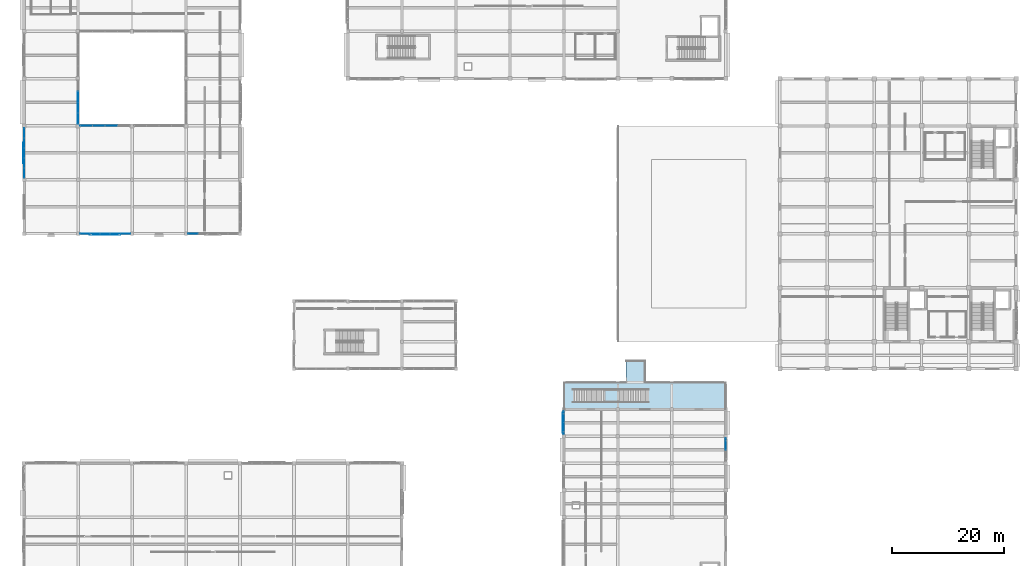
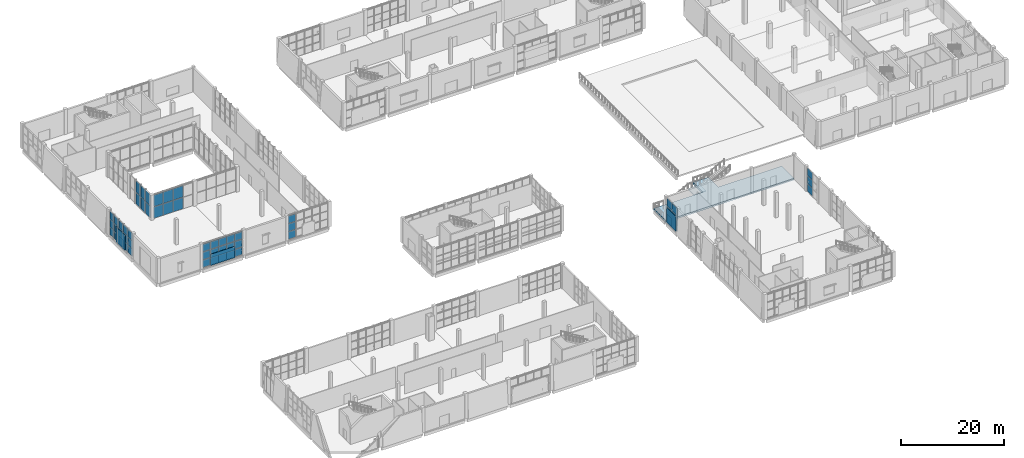
# One storey, part 45 of 84: 57 plates, 2 slabs, 8 elements without a shape of their own.
"""IFC4 building model written with IfcOpenShell, lengths in metres."""

import ifcopenshell
import ifcopenshell.guid

model = None  # the IFC model being written
_history = None  # IfcOwnerHistory: only IFC2X3 demands one
_inside = {}  # id of a spatial element -> (the spatial element, [elements in it])
_under = {}  # id of a project, library or spatial element -> (it, [spatial elements below it])
_declared = {}  # id of a project -> (the project, [libraries it declares])
_typed = {}  # id of a type object -> (the type object, [elements of that type])
_made_of = {}  # id of a material, layer set ... -> (it, [elements and type objects made of it])


def new_model(schema):
    """Start an empty IFC model of exactly this schema.

    Asked for "IFC4X3", IfcOpenShell would pick the latest addendum, in which some entities
    have other attributes; the version numbers below select the first issue.
    IFC2X3 requires an IfcOwnerHistory on every rooted entity: one is made here for all.
    """
    global model, _history
    if schema == "IFC4X3":
        model = ifcopenshell.file(schema_version=(4, 3, 0, 0))
    else:
        model = ifcopenshell.file(schema=schema)
    _inside.clear()
    _under.clear()
    _declared.clear()
    _typed.clear()
    _made_of.clear()
    _history = None
    if model.schema == "IFC2X3":
        org = make("IfcOrganization", Name="unknown")
        user = make(
            "IfcPersonAndOrganization",
            ThePerson=make("IfcPerson", FamilyName="unknown"),
            TheOrganization=org,
        )
        app = make(
            "IfcApplication",
            ApplicationDeveloper=org,
            Version="unknown",
            ApplicationFullName="unknown",
            ApplicationIdentifier="unknown",
        )
        _history = make(
            "IfcOwnerHistory",
            OwningUser=user,
            OwningApplication=app,
            ChangeAction="ADDED",
            CreationDate=0,
        )
    return model


def make(cls, **values):
    """One entity of the class cls with the attributes given. An attribute that is None is left unset."""
    return model.create_entity(
        cls, **{name: value for name, value in values.items() if value is not None}
    )


def rooted(cls, **values):
    """An entity with a GlobalId (a new one), such as an element, a storey or a relation."""
    return make(cls, GlobalId=ifcopenshell.guid.new(), OwnerHistory=_history, **values)


def si_unit(unit_type, name, prefix=None):
    """IfcSIUnit, for example si_unit("LENGTHUNIT", "METRE", prefix="MILLI")."""
    return make("IfcSIUnit", UnitType=unit_type, Prefix=prefix, Name=name)


def assignment(units):
    """IfcUnitAssignment: the units of a project."""
    return None if units is None else make("IfcUnitAssignment", Units=units)


def point(xyz):
    """IfcCartesianPoint."""
    return None if xyz is None else make("IfcCartesianPoint", Coordinates=xyz)


def direction(xyz):
    """IfcDirection."""
    return None if xyz is None else make("IfcDirection", DirectionRatios=xyz)


def frame(location, z_axis=None, x_axis=None):
    """IfcAxis2Placement3D, a coordinate frame: its origin and axes. An axis left out is left unset."""
    return make(
        "IfcAxis2Placement3D",
        Location=point(location),
        Axis=direction(z_axis),
        RefDirection=direction(x_axis),
    )


def frame_2d(location, x_axis=None):
    """IfcAxis2Placement2D, a coordinate frame in the plane: its origin and x axis."""
    return make(
        "IfcAxis2Placement2D", Location=point(location), RefDirection=direction(x_axis)
    )


def origin():
    """The frame at (0, 0, 0) with its axes left unset."""
    return frame((0.0, 0.0, 0.0))


def origin_2d():
    """The frame at (0, 0) in the plane with its x axis left unset."""
    return frame_2d((0.0, 0.0))


def place(relative_to, where):
    """IfcLocalPlacement: puts the frame where relative to a parent placement (None: the world)."""
    return make(
        "IfcLocalPlacement", PlacementRelTo=relative_to, RelativePlacement=where
    )


def context(
    kind, dimensions, precision=None, world=None, true_north=None, identifier=None
):
    """IfcGeometricRepresentationContext, for example the 3D "Model" context."""
    return make(
        "IfcGeometricRepresentationContext",
        ContextIdentifier=identifier,
        ContextType=kind,
        CoordinateSpaceDimension=dimensions,
        Precision=precision,
        WorldCoordinateSystem=world,
        TrueNorth=true_north,
    )


def subcontext(parent, identifier, kind, view, scale=None):
    """IfcGeometricRepresentationSubContext, for example "Body" below "Model"."""
    return make(
        "IfcGeometricRepresentationSubContext",
        ContextIdentifier=identifier,
        ContextType=kind,
        ParentContext=parent,
        TargetScale=scale,
        TargetView=view,
    )


def project(units=None, contexts=None):
    """IfcProject with its units and contexts."""
    return rooted(
        "IfcProject",
        Name="project",
        RepresentationContexts=contexts,
        UnitsInContext=assignment(units),
    )


def spatial(cls, under=None, at=None, **own):
    """A site, building, storey or space (cls), placed at a placement, below another one or the project."""
    s = rooted(cls, ObjectPlacement=at, **own)
    if under is not None:
        _under.setdefault(under.id(), (under, []))[1].append(s)
    return s


def polyline(points):
    """IfcPolyline through the points."""
    return make("IfcPolyline", Points=[point(p) for p in points])


def profile(cls, at=None, kind="AREA", **sizes):
    """A parametric profile (cls). Its sizes go by their IFC names, for example OverallWidth=200.0."""
    return make(cls, ProfileType=kind, Position=at, **sizes)


def rectangle(**sizes):
    """IfcRectangleProfileDef."""
    return profile("IfcRectangleProfileDef", **sizes)


def outline(outer, holes=None, kind="AREA"):
    """IfcArbitraryClosedProfileDef: a profile drawn as a closed curve; with holes, ...WithVoids."""
    if holes is None:
        return make("IfcArbitraryClosedProfileDef", ProfileType=kind, OuterCurve=outer)
    return make(
        "IfcArbitraryProfileDefWithVoids",
        ProfileType=kind,
        OuterCurve=outer,
        InnerCurves=holes,
    )


def extrude(swept, where, along, depth):
    """IfcExtrudedAreaSolid: the profile swept, set in the frame where, extruded along a direction by depth."""
    return make(
        "IfcExtrudedAreaSolid",
        SweptArea=swept,
        Position=where,
        ExtrudedDirection=direction(along),
        Depth=depth,
    )


def shape(context_of_items, identifier, shape_type, items):
    """IfcShapeRepresentation: the items that make up one representation, for example the "Body"."""
    return make(
        "IfcShapeRepresentation",
        ContextOfItems=context_of_items,
        RepresentationIdentifier=identifier,
        RepresentationType=shape_type,
        Items=items,
    )


def material(Name=None, Category=None):
    """IfcMaterial."""
    return make("IfcMaterial", Name=Name, Category=Category)


def layer(
    of_material, thickness, ventilated=None, Name=None, Category=None, Priority=None
):
    """IfcMaterialLayer: one layer of a wall or slab, of a material (None: an air gap)."""
    return make(
        "IfcMaterialLayer",
        Material=of_material,
        LayerThickness=thickness,
        IsVentilated=ventilated,
        Name=Name,
        Category=Category,
        Priority=Priority,
    )


def layer_set(layers, Name=None):
    """IfcMaterialLayerSet."""
    return make("IfcMaterialLayerSet", MaterialLayers=layers, LayerSetName=Name)


def made_of(thing, what):
    """Note that an element or type object is made of a material, layer set ...; save() writes the relation."""
    if what is not None:
        _made_of.setdefault(what.id(), (what, []))[1].append(thing)
    return thing


def type_object(cls, material=None, **own):
    """A type object (cls), such as IfcWallType, which elements share."""
    return made_of(rooted(cls, **own), material)


def element(
    cls,
    number,
    at=None,
    inside=None,
    cuts=None,
    type_object=None,
    material=None,
    context=None,
    identifier="Body",
    shape_type=None,
    held_by="IfcProductDefinitionShape",
    body=None,
    shapes=None,
    **own,
):
    """One element of the class cls, such as IfcWall. Its Tag is "e" and its number.

    at: its placement. inside: the storey or other place that contains it. cuts: it is an
    opening in that element (IfcRelVoidsElement). A single representation is given by context,
    identifier, shape_type and body (its items); several are given by shapes. held_by: the class
    of the entity that holds the representations. save() writes the other relations.
    """
    e = rooted(cls, Tag="e%d" % number, ObjectPlacement=at, **own)
    if body is not None:
        shapes = [shape(context, identifier, shape_type, body)]
    if shapes is not None:
        e.Representation = make(held_by, Representations=shapes)
    if inside is not None:
        _inside.setdefault(inside.id(), (inside, []))[1].append(e)
    if cuts is not None:
        rooted(
            "IfcRelVoidsElement", RelatingBuildingElement=cuts, RelatedOpeningElement=e
        )
    if type_object is not None:
        _typed.setdefault(type_object.id(), (type_object, []))[1].append(e)
    return made_of(e, material)


def aggregate(whole, parts):
    """IfcRelAggregates: a whole, such as a stair, and the parts it consists of."""
    return rooted("IfcRelAggregates", RelatingObject=whole, RelatedObjects=parts)


def save(model, path):
    """Write the relations noted so far, then the file.

    IfcRelAggregates (storeys below a building ...), IfcRelContainedInSpatialStructure (elements
    in a storey), IfcRelDefinesByType, IfcRelAssociatesMaterial and IfcRelDeclares: one each for
    every whole, place, type object, material and project.
    """
    for whole, parts in _under.values():
        aggregate(whole, parts)
    for where, things in _inside.values():
        rooted(
            "IfcRelContainedInSpatialStructure",
            RelatedElements=things,
            RelatingStructure=where,
        )
    for kind, things in _typed.values():
        rooted("IfcRelDefinesByType", RelatedObjects=things, RelatingType=kind)
    for what, things in _made_of.values():
        rooted("IfcRelAssociatesMaterial", RelatedObjects=things, RelatingMaterial=what)
    for by, libraries in _declared.values():
        rooted("IfcRelDeclares", RelatingContext=by, RelatedDefinitions=libraries)
    model.write(path)


model = new_model("IFC4")

# Units and contexts
model_context = context("Model", 3, precision=1e-05, world=origin(), true_north=direction((0.0, 1.0)))
body_context = subcontext(model_context, "Body", "Model", "MODEL_VIEW")
ifc_project = project(units=[si_unit("LENGTHUNIT", "METRE"), si_unit("AREAUNIT", "SQUARE_METRE"), si_unit("VOLUMEUNIT", "CUBIC_METRE"), si_unit("PLANEANGLEUNIT", "RADIAN"), si_unit("MASSUNIT", "GRAM", prefix="KILO")], contexts=[model_context])

# Site, building, storey
site_placement = place(None, origin())
site = spatial("IfcSite", under=ifc_project, at=site_placement, CompositionType="ELEMENT")
building_placement = place(site_placement, origin())
building = spatial("IfcBuilding", under=site, at=building_placement, Name="Shalvenor Court Art Gallery", CompositionType="ELEMENT")
storey_placement = place(building_placement, origin())
storey = spatial("IfcBuildingStorey", under=building, at=storey_placement, Name="L00", CompositionType="ELEMENT", Elevation=0.0)

# Curtain wall, plates
ifc_material_1 = material(Name="Anodised aluminium and low-iron glass curtain wall", Category="aluminium")
curtain_wall_type_1 = type_object("IfcCurtainWallType", Name="CW-5x3-90-57-421", PredefinedType="USERDEFINED", material=ifc_material_1)
curtain_wall_1_placement = place(storey_placement, origin())
curtain_wall_1 = element("IfcCurtainWall", 1, at=curtain_wall_1_placement, inside=storey, type_object=curtain_wall_type_1, Name="L00 V5 Curtain Wall CW-L00-154", ObjectType="CURTAIN WALL", PredefinedType="USERDEFINED")
ifc_material_2 = material(Name="Low-iron UV-laminated double glazing IGU", Category="glass")
ifc_layer_1 = layer(ifc_material_2, 0.028076171875, Name="Low-iron UV-laminated double glazing IGU")
ifc_layer_set_1 = layer_set([ifc_layer_1], Name="Low-iron UV-laminated double glazing IGU")
plate_type_1 = type_object("IfcPlateType", Name="CWP-01", PredefinedType="CURTAIN_PANEL", material=ifc_layer_set_1)
plate_1_placement = place(storey_placement, frame((30.018798828125, 69.60009765625, 0.06494140625), z_axis=(0.0, 0.0, 1.0), x_axis=(-1.0, 0.0, 0.0)))
plate_1 = element("IfcPlate", 2, at=plate_1_placement, type_object=plate_type_1, Name="CW-5x3-90-57-421 panel 5.1", PredefinedType="CURTAIN_PANEL", context=body_context, shape_type="SweptSolid", body=[
    extrude(rectangle(XDim=1.6875, YDim=0.028076171875, at=origin_2d()), origin(), (0.0, 0.0, 1.0), 1.7958984375),
])
plate_2_placement = place(storey_placement, frame((30.018798828125, 69.60009765625, 1.92578125), z_axis=(0.0, 0.0, 1.0), x_axis=(-1.0, 0.0, 0.0)))
plate_2 = element("IfcPlate", 3, at=plate_2_placement, type_object=plate_type_1, Name="CW-5x3-90-57-421 panel 5.2", PredefinedType="CURTAIN_PANEL", context=body_context, shape_type="SweptSolid", body=[
    extrude(rectangle(XDim=1.6875, YDim=0.028076171875, at=origin_2d()), origin(), (0.0, 0.0, 1.0), 1.828369140625),
])
plate_3_placement = place(storey_placement, frame((30.018798828125, 69.60009765625, 3.819091796875), z_axis=(0.0, 0.0, 1.0), x_axis=(-1.0, 0.0, 0.0)))
plate_3 = element("IfcPlate", 4, at=plate_3_placement, type_object=plate_type_1, Name="CW-5x3-90-57-421 panel 5.3", PredefinedType="CURTAIN_PANEL", context=body_context, shape_type="SweptSolid", body=[
    extrude(rectangle(XDim=1.6875, YDim=0.028076171875, at=origin_2d()), origin(), (0.0, 0.0, 1.0), 1.7958984375),
])
aggregate(curtain_wall_1, [plate_1, plate_2, plate_3])

ifc_material_3 = material(Name="Anodised aluminium and low-iron glass curtain wall", Category="aluminium")
curtain_wall_type_2 = type_object("IfcCurtainWallType", Name="CW-5x3-90-57-641", PredefinedType="USERDEFINED", material=ifc_material_3)
curtain_wall_2_placement = place(storey_placement, origin())
curtain_wall_2 = element("IfcCurtainWall", 5, at=curtain_wall_2_placement, inside=storey, type_object=curtain_wall_type_2, Name="L00 V5 Curtain Wall CW-L00-155", ObjectType="CURTAIN WALL", PredefinedType="USERDEFINED")
plate_4_placement = place(storey_placement, frame((17.986328125, 69.60009765625, 0.06982421875), z_axis=(0.0, 0.0, 1.0), x_axis=(-1.0, 0.0, 0.0)))
plate_4 = element("IfcPlate", 6, at=plate_4_placement, type_object=plate_type_1, Name="CW-5x3-90-57-641 panel 1.1", PredefinedType="CURTAIN_PANEL", context=body_context, shape_type="SweptSolid", body=[
    extrude(rectangle(XDim=1.717529296875, YDim=0.028076171875, at=origin_2d()), origin(), (0.0, 0.0, 1.0), 1.788330078125),
])
plate_5_placement = place(storey_placement, frame((17.986328125, 69.60009765625, 1.928466796875), z_axis=(0.0, 0.0, 1.0), x_axis=(-1.0, 0.0, 0.0)))
plate_5 = element("IfcPlate", 7, at=plate_5_placement, type_object=plate_type_1, Name="CW-5x3-90-57-641 panel 1.2", PredefinedType="CURTAIN_PANEL", context=body_context, shape_type="SweptSolid", body=[
    extrude(rectangle(XDim=1.717529296875, YDim=0.028076171875, at=origin_2d()), origin(), (0.0, 0.0, 1.0), 1.8232421875),
])
plate_6_placement = place(storey_placement, frame((17.986328125, 69.60009765625, 3.82177734375), z_axis=(0.0, 0.0, 1.0), x_axis=(-1.0, 0.0, 0.0)))
plate_6 = element("IfcPlate", 8, at=plate_6_placement, type_object=plate_type_1, Name="CW-5x3-90-57-641 panel 1.3", PredefinedType="CURTAIN_PANEL", context=body_context, shape_type="SweptSolid", body=[
    extrude(rectangle(XDim=1.717529296875, YDim=0.028076171875, at=origin_2d()), origin(), (0.0, 0.0, 1.0), 1.788330078125),
])
plate_7_placement = place(storey_placement, frame((16.199951171875, 69.60009765625, 0.06982421875), z_axis=(0.0, 0.0, 1.0), x_axis=(-1.0, 0.0, 0.0)))
plate_7 = element("IfcPlate", 9, at=plate_7_placement, type_object=plate_type_1, Name="CW-5x3-90-57-641 panel 2.1", PredefinedType="CURTAIN_PANEL", context=body_context, shape_type="SweptSolid", body=[
    extrude(rectangle(XDim=1.7451171875, YDim=0.028076171875, at=origin_2d()), origin(), (0.0, 0.0, 1.0), 1.788330078125),
])
plate_8_placement = place(storey_placement, frame((16.199951171875, 69.60009765625, 1.928466796875), z_axis=(0.0, 0.0, 1.0), x_axis=(-1.0, 0.0, 0.0)))
plate_8 = element("IfcPlate", 10, at=plate_8_placement, type_object=plate_type_1, Name="CW-5x3-90-57-641 panel 2.2", PredefinedType="CURTAIN_PANEL", context=body_context, shape_type="SweptSolid", body=[
    extrude(rectangle(XDim=1.7451171875, YDim=0.028076171875, at=origin_2d()), origin(), (0.0, 0.0, 1.0), 1.8232421875),
])
plate_9_placement = place(storey_placement, frame((16.199951171875, 69.60009765625, 3.82177734375), z_axis=(0.0, 0.0, 1.0), x_axis=(-1.0, 0.0, 0.0)))
plate_9 = element("IfcPlate", 11, at=plate_9_placement, type_object=plate_type_1, Name="CW-5x3-90-57-641 panel 2.3", PredefinedType="CURTAIN_PANEL", context=body_context, shape_type="SweptSolid", body=[
    extrude(rectangle(XDim=1.7451171875, YDim=0.028076171875, at=origin_2d()), origin(), (0.0, 0.0, 1.0), 1.788330078125),
])
plate_10_placement = place(storey_placement, frame((14.39990234375, 69.60009765625, 0.06982421875), z_axis=(0.0, 0.0, 1.0), x_axis=(-1.0, 0.0, 0.0)))
plate_10 = element("IfcPlate", 12, at=plate_10_placement, type_object=plate_type_1, Name="CW-5x3-90-57-641 panel 3.1", PredefinedType="CURTAIN_PANEL", context=body_context, shape_type="SweptSolid", body=[
    extrude(rectangle(XDim=1.7451171875, YDim=0.028076171875, at=origin_2d()), origin(), (0.0, 0.0, 1.0), 1.788330078125),
])
plate_11_placement = place(storey_placement, frame((14.39990234375, 69.60009765625, 1.928466796875), z_axis=(0.0, 0.0, 1.0), x_axis=(-1.0, 0.0, 0.0)))
plate_11 = element("IfcPlate", 13, at=plate_11_placement, type_object=plate_type_1, Name="CW-5x3-90-57-641 panel 3.2", PredefinedType="CURTAIN_PANEL", context=body_context, shape_type="SweptSolid", body=[
    extrude(rectangle(XDim=1.7451171875, YDim=0.028076171875, at=origin_2d()), origin(), (0.0, 0.0, 1.0), 1.8232421875),
])
plate_12_placement = place(storey_placement, frame((14.39990234375, 69.60009765625, 3.82177734375), z_axis=(0.0, 0.0, 1.0), x_axis=(-1.0, 0.0, 0.0)))
plate_12 = element("IfcPlate", 14, at=plate_12_placement, type_object=plate_type_1, Name="CW-5x3-90-57-641 panel 3.3", PredefinedType="CURTAIN_PANEL", context=body_context, shape_type="SweptSolid", body=[
    extrude(rectangle(XDim=1.7451171875, YDim=0.028076171875, at=origin_2d()), origin(), (0.0, 0.0, 1.0), 1.788330078125),
])
plate_13_placement = place(storey_placement, frame((12.60009765625, 69.60009765625, 0.06982421875), z_axis=(0.0, 0.0, 1.0), x_axis=(-1.0, 0.0, 0.0)))
plate_13 = element("IfcPlate", 15, at=plate_13_placement, type_object=plate_type_1, Name="CW-5x3-90-57-641 panel 4.1", PredefinedType="CURTAIN_PANEL", context=body_context, shape_type="SweptSolid", body=[
    extrude(rectangle(XDim=1.7451171875, YDim=0.028076171875, at=origin_2d()), origin(), (0.0, 0.0, 1.0), 1.788330078125),
])
plate_14_placement = place(storey_placement, frame((12.60009765625, 69.60009765625, 1.928466796875), z_axis=(0.0, 0.0, 1.0), x_axis=(-1.0, 0.0, 0.0)))
plate_14 = element("IfcPlate", 16, at=plate_14_placement, type_object=plate_type_1, Name="CW-5x3-90-57-641 panel 4.2", PredefinedType="CURTAIN_PANEL", context=body_context, shape_type="SweptSolid", body=[
    extrude(rectangle(XDim=1.7451171875, YDim=0.028076171875, at=origin_2d()), origin(), (0.0, 0.0, 1.0), 1.8232421875),
])
plate_15_placement = place(storey_placement, frame((12.60009765625, 69.60009765625, 3.82177734375), z_axis=(0.0, 0.0, 1.0), x_axis=(-1.0, 0.0, 0.0)))
plate_15 = element("IfcPlate", 17, at=plate_15_placement, type_object=plate_type_1, Name="CW-5x3-90-57-641 panel 4.3", PredefinedType="CURTAIN_PANEL", context=body_context, shape_type="SweptSolid", body=[
    extrude(rectangle(XDim=1.7451171875, YDim=0.028076171875, at=origin_2d()), origin(), (0.0, 0.0, 1.0), 1.788330078125),
])
plate_16_placement = place(storey_placement, frame((10.813720703125, 69.60009765625, 0.06982421875), z_axis=(0.0, 0.0, 1.0), x_axis=(-1.0, 0.0, 0.0)))
plate_16 = element("IfcPlate", 18, at=plate_16_placement, type_object=plate_type_1, Name="CW-5x3-90-57-641 panel 5.1", PredefinedType="CURTAIN_PANEL", context=body_context, shape_type="SweptSolid", body=[
    extrude(rectangle(XDim=1.717529296875, YDim=0.028076171875, at=origin_2d()), origin(), (0.0, 0.0, 1.0), 1.788330078125),
])
plate_17_placement = place(storey_placement, frame((10.813720703125, 69.60009765625, 1.928466796875), z_axis=(0.0, 0.0, 1.0), x_axis=(-1.0, 0.0, 0.0)))
plate_17 = element("IfcPlate", 19, at=plate_17_placement, type_object=plate_type_1, Name="CW-5x3-90-57-641 panel 5.2", PredefinedType="CURTAIN_PANEL", context=body_context, shape_type="SweptSolid", body=[
    extrude(rectangle(XDim=1.717529296875, YDim=0.028076171875, at=origin_2d()), origin(), (0.0, 0.0, 1.0), 1.8232421875),
])
plate_18_placement = place(storey_placement, frame((10.813720703125, 69.60009765625, 3.82177734375), z_axis=(0.0, 0.0, 1.0), x_axis=(-1.0, 0.0, 0.0)))
plate_18 = element("IfcPlate", 20, at=plate_18_placement, type_object=plate_type_1, Name="CW-5x3-90-57-641 panel 5.3", PredefinedType="CURTAIN_PANEL", context=body_context, shape_type="SweptSolid", body=[
    extrude(rectangle(XDim=1.717529296875, YDim=0.028076171875, at=origin_2d()), origin(), (0.0, 0.0, 1.0), 1.788330078125),
])
aggregate(curtain_wall_2, [plate_4, plate_5, plate_6, plate_7, plate_8, plate_9, plate_10, plate_11, plate_12, plate_13, plate_14, plate_15, plate_16, plate_17, plate_18])

ifc_material_4 = material(Name="Anodised aluminium and low-iron glass curtain wall", Category="aluminium")
curtain_wall_type_3 = type_object("IfcCurtainWallType", Name="CW-5x3-90-57-111", PredefinedType="USERDEFINED", material=ifc_material_4)
curtain_wall_3_placement = place(storey_placement, origin())
curtain_wall_3 = element("IfcCurtainWall", 21, at=curtain_wall_3_placement, inside=storey, type_object=curtain_wall_type_3, Name="L00 V5 Curtain Wall CW-L00-156", ObjectType="CURTAIN WALL", PredefinedType="USERDEFINED")
plate_19_placement = place(storey_placement, frame((0.0, 80.4111328125, 0.06005859375), z_axis=(0.0, 0.0, 1.0), x_axis=(0.0, 1.0, 0.0)))
plate_19 = element("IfcPlate", 22, at=plate_19_placement, type_object=plate_type_1, Name="CW-5x3-90-57-111 panel 1.1", PredefinedType="CURTAIN_PANEL", context=body_context, shape_type="SweptSolid", body=[
    extrude(rectangle(XDim=1.6923828125, YDim=0.028076171875, at=origin_2d()), origin(), (0.0, 0.0, 1.0), 1.80322265625),
])
plate_20_placement = place(storey_placement, frame((0.0, 80.4111328125, 1.92333984375), z_axis=(0.0, 0.0, 1.0), x_axis=(0.0, 1.0, 0.0)))
plate_20 = element("IfcPlate", 23, at=plate_20_placement, type_object=plate_type_1, Name="CW-5x3-90-57-111 panel 1.2", PredefinedType="CURTAIN_PANEL", context=body_context, shape_type="SweptSolid", body=[
    extrude(rectangle(XDim=1.6923828125, YDim=0.028076171875, at=origin_2d()), origin(), (0.0, 0.0, 1.0), 1.833251953125),
])
plate_21_placement = place(storey_placement, frame((0.0, 80.4111328125, 3.816650390625), z_axis=(0.0, 0.0, 1.0), x_axis=(0.0, 1.0, 0.0)))
plate_21 = element("IfcPlate", 24, at=plate_21_placement, type_object=plate_type_1, Name="CW-5x3-90-57-111 panel 1.3", PredefinedType="CURTAIN_PANEL", context=body_context, shape_type="SweptSolid", body=[
    extrude(rectangle(XDim=1.6923828125, YDim=0.028076171875, at=origin_2d()), origin(), (0.0, 0.0, 1.0), 1.80322265625),
])
plate_22_placement = place(storey_placement, frame((0.0, 82.18505859375, 0.06005859375), z_axis=(0.0, 0.0, 1.0), x_axis=(0.0, 1.0, 0.0)))
plate_22 = element("IfcPlate", 25, at=plate_22_placement, type_object=plate_type_1, Name="CW-5x3-90-57-111 panel 2.1", PredefinedType="CURTAIN_PANEL", context=body_context, shape_type="SweptSolid", body=[
    extrude(rectangle(XDim=1.72509765625, YDim=0.028076171875, at=origin_2d()), origin(), (0.0, 0.0, 1.0), 1.80322265625),
])
plate_23_placement = place(storey_placement, frame((0.0, 82.18505859375, 1.92333984375), z_axis=(0.0, 0.0, 1.0), x_axis=(0.0, 1.0, 0.0)))
plate_23 = element("IfcPlate", 26, at=plate_23_placement, type_object=plate_type_1, Name="CW-5x3-90-57-111 panel 2.2", PredefinedType="CURTAIN_PANEL", context=body_context, shape_type="SweptSolid", body=[
    extrude(rectangle(XDim=1.72509765625, YDim=0.028076171875, at=origin_2d()), origin(), (0.0, 0.0, 1.0), 1.833251953125),
])
plate_24_placement = place(storey_placement, frame((0.0, 82.18505859375, 3.816650390625), z_axis=(0.0, 0.0, 1.0), x_axis=(0.0, 1.0, 0.0)))
plate_24 = element("IfcPlate", 27, at=plate_24_placement, type_object=plate_type_1, Name="CW-5x3-90-57-111 panel 2.3", PredefinedType="CURTAIN_PANEL", context=body_context, shape_type="SweptSolid", body=[
    extrude(rectangle(XDim=1.72509765625, YDim=0.028076171875, at=origin_2d()), origin(), (0.0, 0.0, 1.0), 1.80322265625),
])
plate_25_placement = place(storey_placement, frame((0.0, 83.97509765625, 0.06005859375), z_axis=(0.0, 0.0, 1.0), x_axis=(0.0, 1.0, 0.0)))
plate_25 = element("IfcPlate", 28, at=plate_25_placement, type_object=plate_type_1, Name="CW-5x3-90-57-111 panel 3.1", PredefinedType="CURTAIN_PANEL", context=body_context, shape_type="SweptSolid", body=[
    extrude(rectangle(XDim=1.72509765625, YDim=0.028076171875, at=origin_2d()), origin(), (0.0, 0.0, 1.0), 1.80322265625),
])
plate_26_placement = place(storey_placement, frame((0.0, 83.97509765625, 1.92333984375), z_axis=(0.0, 0.0, 1.0), x_axis=(0.0, 1.0, 0.0)))
plate_26 = element("IfcPlate", 29, at=plate_26_placement, type_object=plate_type_1, Name="CW-5x3-90-57-111 panel 3.2", PredefinedType="CURTAIN_PANEL", context=body_context, shape_type="SweptSolid", body=[
    extrude(rectangle(XDim=1.72509765625, YDim=0.028076171875, at=origin_2d()), origin(), (0.0, 0.0, 1.0), 1.833251953125),
])
plate_27_placement = place(storey_placement, frame((0.0, 83.97509765625, 3.816650390625), z_axis=(0.0, 0.0, 1.0), x_axis=(0.0, 1.0, 0.0)))
plate_27 = element("IfcPlate", 30, at=plate_27_placement, type_object=plate_type_1, Name="CW-5x3-90-57-111 panel 3.3", PredefinedType="CURTAIN_PANEL", context=body_context, shape_type="SweptSolid", body=[
    extrude(rectangle(XDim=1.72509765625, YDim=0.028076171875, at=origin_2d()), origin(), (0.0, 0.0, 1.0), 1.80322265625),
])
plate_28_placement = place(storey_placement, frame((0.0, 85.764892578125, 0.06005859375), z_axis=(0.0, 0.0, 1.0), x_axis=(0.0, 1.0, 0.0)))
plate_28 = element("IfcPlate", 31, at=plate_28_placement, type_object=plate_type_1, Name="CW-5x3-90-57-111 panel 4.1", PredefinedType="CURTAIN_PANEL", context=body_context, shape_type="SweptSolid", body=[
    extrude(rectangle(XDim=1.72509765625, YDim=0.028076171875, at=origin_2d()), origin(), (0.0, 0.0, 1.0), 1.80322265625),
])
plate_29_placement = place(storey_placement, frame((0.0, 85.764892578125, 1.92333984375), z_axis=(0.0, 0.0, 1.0), x_axis=(0.0, 1.0, 0.0)))
plate_29 = element("IfcPlate", 32, at=plate_29_placement, type_object=plate_type_1, Name="CW-5x3-90-57-111 panel 4.2", PredefinedType="CURTAIN_PANEL", context=body_context, shape_type="SweptSolid", body=[
    extrude(rectangle(XDim=1.72509765625, YDim=0.028076171875, at=origin_2d()), origin(), (0.0, 0.0, 1.0), 1.833251953125),
])
plate_30_placement = place(storey_placement, frame((0.0, 85.764892578125, 3.816650390625), z_axis=(0.0, 0.0, 1.0), x_axis=(0.0, 1.0, 0.0)))
plate_30 = element("IfcPlate", 33, at=plate_30_placement, type_object=plate_type_1, Name="CW-5x3-90-57-111 panel 4.3", PredefinedType="CURTAIN_PANEL", context=body_context, shape_type="SweptSolid", body=[
    extrude(rectangle(XDim=1.72509765625, YDim=0.028076171875, at=origin_2d()), origin(), (0.0, 0.0, 1.0), 1.80322265625),
])
plate_31_placement = place(storey_placement, frame((0.0, 87.538818359375, 0.06005859375), z_axis=(0.0, 0.0, 1.0), x_axis=(0.0, 1.0, 0.0)))
plate_31 = element("IfcPlate", 34, at=plate_31_placement, type_object=plate_type_1, Name="CW-5x3-90-57-111 panel 5.1", PredefinedType="CURTAIN_PANEL", context=body_context, shape_type="SweptSolid", body=[
    extrude(rectangle(XDim=1.6923828125, YDim=0.028076171875, at=origin_2d()), origin(), (0.0, 0.0, 1.0), 1.80322265625),
])
plate_32_placement = place(storey_placement, frame((0.0, 87.538818359375, 1.92333984375), z_axis=(0.0, 0.0, 1.0), x_axis=(0.0, 1.0, 0.0)))
plate_32 = element("IfcPlate", 35, at=plate_32_placement, type_object=plate_type_1, Name="CW-5x3-90-57-111 panel 5.2", PredefinedType="CURTAIN_PANEL", context=body_context, shape_type="SweptSolid", body=[
    extrude(rectangle(XDim=1.6923828125, YDim=0.028076171875, at=origin_2d()), origin(), (0.0, 0.0, 1.0), 1.833251953125),
])
plate_33_placement = place(storey_placement, frame((0.0, 87.538818359375, 3.816650390625), z_axis=(0.0, 0.0, 1.0), x_axis=(0.0, 1.0, 0.0)))
plate_33 = element("IfcPlate", 36, at=plate_33_placement, type_object=plate_type_1, Name="CW-5x3-90-57-111 panel 5.3", PredefinedType="CURTAIN_PANEL", context=body_context, shape_type="SweptSolid", body=[
    extrude(rectangle(XDim=1.6923828125, YDim=0.028076171875, at=origin_2d()), origin(), (0.0, 0.0, 1.0), 1.80322265625),
])
aggregate(curtain_wall_3, [plate_19, plate_20, plate_21, plate_22, plate_23, plate_24, plate_25, plate_26, plate_27, plate_28, plate_29, plate_30, plate_31, plate_32, plate_33])

ifc_material_5 = material(Name="Anodised aluminium and low-iron glass curtain wall", Category="aluminium")
curtain_wall_type_4 = type_object("IfcCurtainWallType", Name="CW-2x3-42-57-412", PredefinedType="USERDEFINED", material=ifc_material_5)
curtain_wall_4_placement = place(storey_placement, origin())
curtain_wall_4 = element("IfcCurtainWall", 37, at=curtain_wall_4_placement, inside=storey, type_object=curtain_wall_type_4, Name="L00 V3 Curtain Wall CW-L00-090", ObjectType="CURTAIN WALL", PredefinedType="USERDEFINED")
ifc_material_6 = material(Name="Low-iron triple-silver solar gallery glazing IGU", Category="glass")
ifc_layer_2 = layer(ifc_material_6, 0.031982421875, Name="Low-iron triple-silver solar gallery glazing IGU")
ifc_layer_set_2 = layer_set([ifc_layer_2], Name="Low-iron triple-silver solar gallery glazing IGU")
plate_type_2 = type_object("IfcPlateType", Name="CWP-02", PredefinedType="CURTAIN_PANEL", material=ifc_layer_set_2)
plate_34_placement = place(storey_placement, frame((124.800048828125, 32.231201171875, 0.06005859375), z_axis=(0.0, 0.0, 1.0), x_axis=(0.0, -1.0, 0.0)))
plate_34 = element("IfcPlate", 38, at=plate_34_placement, type_object=plate_type_2, Name="CW-2x3-42-57-412 panel 1.1", PredefinedType="CURTAIN_PANEL", context=body_context, shape_type="SweptSolid", body=[
    extrude(rectangle(XDim=1.987548828125, YDim=0.031982421875, at=origin_2d()), origin(), (0.0, 0.0, 1.0), 1.80322265625),
])
plate_35_placement = place(storey_placement, frame((124.800048828125, 32.231201171875, 1.92333984375), z_axis=(0.0, 0.0, 1.0), x_axis=(0.0, -1.0, 0.0)))
plate_35 = element("IfcPlate", 39, at=plate_35_placement, type_object=plate_type_2, Name="CW-2x3-42-57-412 panel 1.2", PredefinedType="CURTAIN_PANEL", context=body_context, shape_type="SweptSolid", body=[
    extrude(rectangle(XDim=1.987548828125, YDim=0.031982421875, at=origin_2d()), origin(), (0.0, 0.0, 1.0), 1.833251953125),
])
plate_36_placement = place(storey_placement, frame((124.800048828125, 32.231201171875, 3.816650390625), z_axis=(0.0, 0.0, 1.0), x_axis=(0.0, -1.0, 0.0)))
plate_36 = element("IfcPlate", 40, at=plate_36_placement, type_object=plate_type_2, Name="CW-2x3-42-57-412 panel 1.3", PredefinedType="CURTAIN_PANEL", context=body_context, shape_type="SweptSolid", body=[
    extrude(rectangle(XDim=1.987548828125, YDim=0.031982421875, at=origin_2d()), origin(), (0.0, 0.0, 1.0), 1.80322265625),
])
aggregate(curtain_wall_4, [plate_34, plate_35, plate_36])

ifc_material_7 = material(Name="Anodised aluminium and low-iron glass curtain wall", Category="aluminium")
curtain_wall_type_5 = type_object("IfcCurtainWallType", Name="CW-2x3-42-57-222", PredefinedType="USERDEFINED", material=ifc_material_7)
curtain_wall_5_placement = place(storey_placement, origin())
curtain_wall_5 = element("IfcCurtainWall", 41, at=curtain_wall_5_placement, inside=storey, type_object=curtain_wall_type_5, Name="L00 V3 Curtain Wall CW-L00-097", ObjectType="CURTAIN WALL", PredefinedType="USERDEFINED")
plate_37_placement = place(storey_placement, frame((96.0, 34.967529296875, 0.06494140625), z_axis=(0.0, 0.0, 1.0), x_axis=(0.0, 1.0, 0.0)))
plate_37 = element("IfcPlate", 42, at=plate_37_placement, type_object=plate_type_2, Name="CW-2x3-42-57-222 panel 1.1", PredefinedType="CURTAIN_PANEL", context=body_context, shape_type="SweptSolid", body=[
    extrude(rectangle(XDim=1.9951171875, YDim=0.031982421875, at=origin_2d()), origin(), (0.0, 0.0, 1.0), 1.7958984375),
])
plate_38_placement = place(storey_placement, frame((96.0, 34.967529296875, 1.92578125), z_axis=(0.0, 0.0, 1.0), x_axis=(0.0, 1.0, 0.0)))
plate_38 = element("IfcPlate", 43, at=plate_38_placement, type_object=plate_type_2, Name="CW-2x3-42-57-222 panel 1.2", PredefinedType="CURTAIN_PANEL", context=body_context, shape_type="SweptSolid", body=[
    extrude(rectangle(XDim=1.9951171875, YDim=0.031982421875, at=origin_2d()), origin(), (0.0, 0.0, 1.0), 1.828369140625),
])
plate_39_placement = place(storey_placement, frame((96.0, 34.967529296875, 3.819091796875), z_axis=(0.0, 0.0, 1.0), x_axis=(0.0, 1.0, 0.0)))
plate_39 = element("IfcPlate", 44, at=plate_39_placement, type_object=plate_type_2, Name="CW-2x3-42-57-222 panel 1.3", PredefinedType="CURTAIN_PANEL", context=body_context, shape_type="SweptSolid", body=[
    extrude(rectangle(XDim=1.9951171875, YDim=0.031982421875, at=origin_2d()), origin(), (0.0, 0.0, 1.0), 1.7958984375),
])
plate_40_placement = place(storey_placement, frame((96.0, 37.032470703125, 0.06494140625), z_axis=(0.0, 0.0, 1.0), x_axis=(0.0, 1.0, 0.0)))
plate_40 = element("IfcPlate", 45, at=plate_40_placement, type_object=plate_type_2, Name="CW-2x3-42-57-222 panel 2.1", PredefinedType="CURTAIN_PANEL", context=body_context, shape_type="SweptSolid", body=[
    extrude(rectangle(XDim=1.9951171875, YDim=0.031982421875, at=origin_2d()), origin(), (0.0, 0.0, 1.0), 1.7958984375),
])
plate_41_placement = place(storey_placement, frame((96.0, 37.032470703125, 1.92578125), z_axis=(0.0, 0.0, 1.0), x_axis=(0.0, 1.0, 0.0)))
plate_41 = element("IfcPlate", 46, at=plate_41_placement, type_object=plate_type_2, Name="CW-2x3-42-57-222 panel 2.2", PredefinedType="CURTAIN_PANEL", context=body_context, shape_type="SweptSolid", body=[
    extrude(rectangle(XDim=1.9951171875, YDim=0.031982421875, at=origin_2d()), origin(), (0.0, 0.0, 1.0), 1.828369140625),
])
plate_42_placement = place(storey_placement, frame((96.0, 37.032470703125, 3.819091796875), z_axis=(0.0, 0.0, 1.0), x_axis=(0.0, 1.0, 0.0)))
plate_42 = element("IfcPlate", 47, at=plate_42_placement, type_object=plate_type_2, Name="CW-2x3-42-57-222 panel 2.3", PredefinedType="CURTAIN_PANEL", context=body_context, shape_type="SweptSolid", body=[
    extrude(rectangle(XDim=1.9951171875, YDim=0.031982421875, at=origin_2d()), origin(), (0.0, 0.0, 1.0), 1.7958984375),
])
aggregate(curtain_wall_5, [plate_37, plate_38, plate_39, plate_40, plate_41, plate_42])

ifc_material_8 = material(Name="Anodised aluminium and low-iron glass curtain wall", Category="aluminium")
curtain_wall_type_6 = type_object("IfcCurtainWallType", Name="CW-CT-4-89", PredefinedType="USERDEFINED", material=ifc_material_8)
curtain_wall_6_placement = place(storey_placement, origin())
curtain_wall_6 = element("IfcCurtainWall", 48, at=curtain_wall_6_placement, inside=storey, type_object=curtain_wall_type_6, Name="L00 Studios Courtyard Curtain Wall CW-CRT-L00-159", ObjectType="CURTAIN WALL", PredefinedType="USERDEFINED")
ifc_material_9 = material(Name="Acoustic laminated courtyard curtain glazing IGU", Category="glass")
ifc_layer_3 = layer(ifc_material_9, 0.0400390625, Name="Acoustic laminated courtyard curtain glazing IGU")
ifc_layer_set_3 = layer_set([ifc_layer_3], Name="Acoustic laminated courtyard curtain glazing IGU")
plate_type_3 = type_object("IfcPlateType", Name="CWP-05", PredefinedType="CURTAIN_PANEL", material=ifc_layer_set_3)
plate_43_placement = place(storey_placement, frame((11.076171875, 88.800048828125, 0.06494140625), z_axis=(0.0, 0.0, 1.0), x_axis=(1.0, 0.0, 0.0)))
plate_43 = element("IfcPlate", 49, at=plate_43_placement, type_object=plate_type_3, Name="CW-CT-4-89 panel 1.1", PredefinedType="CURTAIN_PANEL", context=body_context, shape_type="SweptSolid", body=[
    extrude(rectangle(XDim=2.142578125, YDim=0.0400390625, at=origin_2d()), origin(), (0.0, 0.0, 1.0), 2.742431640625),
])
plate_44_placement = place(storey_placement, frame((11.076171875, 88.800048828125, 2.87255859375), z_axis=(0.0, 0.0, 1.0), x_axis=(1.0, 0.0, 0.0)))
plate_44 = element("IfcPlate", 50, at=plate_44_placement, type_object=plate_type_3, Name="CW-CT-4-89 panel 1.2", PredefinedType="CURTAIN_PANEL", context=body_context, shape_type="SweptSolid", body=[
    extrude(rectangle(XDim=2.142578125, YDim=0.0400390625, at=origin_2d()), origin(), (0.0, 0.0, 1.0), 2.742431640625),
])
plate_45_placement = place(storey_placement, frame((13.28759765625, 88.800048828125, 0.06494140625), z_axis=(0.0, 0.0, 1.0), x_axis=(1.0, 0.0, 0.0)))
plate_45 = element("IfcPlate", 51, at=plate_45_placement, type_object=plate_type_3, Name="CW-CT-4-89 panel 2.1", PredefinedType="CURTAIN_PANEL", context=body_context, shape_type="SweptSolid", body=[
    extrude(rectangle(XDim=2.169921875, YDim=0.0400390625, at=origin_2d()), origin(), (0.0, 0.0, 1.0), 2.742431640625),
])
plate_46_placement = place(storey_placement, frame((13.28759765625, 88.800048828125, 2.87255859375), z_axis=(0.0, 0.0, 1.0), x_axis=(1.0, 0.0, 0.0)))
plate_46 = element("IfcPlate", 52, at=plate_46_placement, type_object=plate_type_3, Name="CW-CT-4-89 panel 2.2", PredefinedType="CURTAIN_PANEL", context=body_context, shape_type="SweptSolid", body=[
    extrude(rectangle(XDim=2.169921875, YDim=0.0400390625, at=origin_2d()), origin(), (0.0, 0.0, 1.0), 2.742431640625),
])
plate_47_placement = place(storey_placement, frame((15.512451171875, 88.800048828125, 0.06494140625), z_axis=(0.0, 0.0, 1.0), x_axis=(1.0, 0.0, 0.0)))
plate_47 = element("IfcPlate", 53, at=plate_47_placement, type_object=plate_type_3, Name="CW-CT-4-89 panel 3.1", PredefinedType="CURTAIN_PANEL", context=body_context, shape_type="SweptSolid", body=[
    extrude(rectangle(XDim=2.169921875, YDim=0.0400390625, at=origin_2d()), origin(), (0.0, 0.0, 1.0), 2.742431640625),
])
plate_48_placement = place(storey_placement, frame((15.512451171875, 88.800048828125, 2.87255859375), z_axis=(0.0, 0.0, 1.0), x_axis=(1.0, 0.0, 0.0)))
plate_48 = element("IfcPlate", 54, at=plate_48_placement, type_object=plate_type_3, Name="CW-CT-4-89 panel 3.2", PredefinedType="CURTAIN_PANEL", context=body_context, shape_type="SweptSolid", body=[
    extrude(rectangle(XDim=2.169921875, YDim=0.0400390625, at=origin_2d()), origin(), (0.0, 0.0, 1.0), 2.742431640625),
])
aggregate(curtain_wall_6, [plate_43, plate_44, plate_45, plate_46, plate_47, plate_48])

ifc_material_10 = material(Name="Anodised aluminium and low-iron glass curtain wall", Category="aluminium")
curtain_wall_type_7 = type_object("IfcCurtainWallType", Name="CW-CT-4-77", PredefinedType="USERDEFINED", material=ifc_material_10)
curtain_wall_7_placement = place(storey_placement, origin())
curtain_wall_7 = element("IfcCurtainWall", 55, at=curtain_wall_7_placement, inside=storey, type_object=curtain_wall_type_7, Name="L00 Studios Courtyard Curtain Wall CW-CRT-L00-166", ObjectType="CURTAIN WALL", PredefinedType="USERDEFINED")
plate_49_placement = place(storey_placement, frame((9.60009765625, 93.96240234375, 0.06494140625), z_axis=(0.0, 0.0, 1.0), x_axis=(0.0, -1.0, 0.0)))
plate_49 = element("IfcPlate", 56, at=plate_49_placement, type_object=plate_type_3, Name="CW-CT-4-77 panel 2.1", PredefinedType="CURTAIN_PANEL", context=body_context, shape_type="SweptSolid", body=[
    extrude(rectangle(XDim=1.8701171875, YDim=0.0400390625, at=origin_2d()), origin(), (0.0, 0.0, 1.0), 2.742431640625),
])
plate_50_placement = place(storey_placement, frame((9.60009765625, 93.96240234375, 2.87255859375), z_axis=(0.0, 0.0, 1.0), x_axis=(0.0, -1.0, 0.0)))
plate_50 = element("IfcPlate", 57, at=plate_50_placement, type_object=plate_type_3, Name="CW-CT-4-77 panel 2.2", PredefinedType="CURTAIN_PANEL", context=body_context, shape_type="SweptSolid", body=[
    extrude(rectangle(XDim=1.8701171875, YDim=0.0400390625, at=origin_2d()), origin(), (0.0, 0.0, 1.0), 2.742431640625),
])
plate_51_placement = place(storey_placement, frame((9.60009765625, 92.03759765625, 0.06494140625), z_axis=(0.0, 0.0, 1.0), x_axis=(0.0, -1.0, 0.0)))
plate_51 = element("IfcPlate", 58, at=plate_51_placement, type_object=plate_type_3, Name="CW-CT-4-77 panel 3.1", PredefinedType="CURTAIN_PANEL", context=body_context, shape_type="SweptSolid", body=[
    extrude(rectangle(XDim=1.8701171875, YDim=0.0400390625, at=origin_2d()), origin(), (0.0, 0.0, 1.0), 2.742431640625),
])
plate_52_placement = place(storey_placement, frame((9.60009765625, 92.03759765625, 2.87255859375), z_axis=(0.0, 0.0, 1.0), x_axis=(0.0, -1.0, 0.0)))
plate_52 = element("IfcPlate", 59, at=plate_52_placement, type_object=plate_type_3, Name="CW-CT-4-77 panel 3.2", PredefinedType="CURTAIN_PANEL", context=body_context, shape_type="SweptSolid", body=[
    extrude(rectangle(XDim=1.8701171875, YDim=0.0400390625, at=origin_2d()), origin(), (0.0, 0.0, 1.0), 2.742431640625),
])
plate_53_placement = place(storey_placement, frame((9.60009765625, 90.126220703125, 0.06494140625), z_axis=(0.0, 0.0, 1.0), x_axis=(0.0, -1.0, 0.0)))
plate_53 = element("IfcPlate", 60, at=plate_53_placement, type_object=plate_type_3, Name="CW-CT-4-77 panel 4.1", PredefinedType="CURTAIN_PANEL", context=body_context, shape_type="SweptSolid", body=[
    extrude(rectangle(XDim=1.842529296875, YDim=0.0400390625, at=origin_2d()), origin(), (0.0, 0.0, 1.0), 2.742431640625),
])
plate_54_placement = place(storey_placement, frame((9.60009765625, 90.126220703125, 2.87255859375), z_axis=(0.0, 0.0, 1.0), x_axis=(0.0, -1.0, 0.0)))
plate_54 = element("IfcPlate", 61, at=plate_54_placement, type_object=plate_type_3, Name="CW-CT-4-77 panel 4.2", PredefinedType="CURTAIN_PANEL", context=body_context, shape_type="SweptSolid", body=[
    extrude(rectangle(XDim=1.842529296875, YDim=0.0400390625, at=origin_2d()), origin(), (0.0, 0.0, 1.0), 2.742431640625),
])
aggregate(curtain_wall_7, [plate_49, plate_50, plate_51, plate_52, plate_53, plate_54])

# Plates
ifc_material_11 = material(Name="Perforated pale limestone GRC lattice", Category="masonry")
ifc_layer_4 = layer(ifc_material_11, 0.090087890625, Name="Perforated pale limestone GRC lattice")
ifc_layer_set_4 = layer_set([ifc_layer_4], Name="Perforated pale limestone GRC lattice")
plate_type_4 = type_object("IfcPlateType", Name="SCR-01", PredefinedType="USERDEFINED", material=ifc_layer_set_4)
for number, where, z_axis, x_axis, name in (
    (62, (95.85693359375, 36.0, 0.0), (0.0, 0.0, 1.0), (0.0, 1.0, 0.0), "L00 V3 Perforated Stone Lattice Screen PLT-SCR-0082"),
    (63, (-0.133056640625, 83.97509765625, 0.0), (0.0, 0.0, 1.0), (0.0, 1.0, 0.0), "L00 V5 Perforated Stone Lattice Screen PLT-SCR-0141"),
):
    element("IfcPlate", number, at=place(storey_placement, frame(where, z_axis=z_axis, x_axis=x_axis)), inside=storey, type_object=plate_type_4, Name=name, ObjectType="SCREEN", PredefinedType="USERDEFINED", context=body_context, shape_type="SweptSolid", body=[
        extrude(rectangle(XDim=3.60009765625, YDim=0.090087890625, at=origin_2d()), origin(), (0.0, 0.0, 1.0), 3.60009765625),
    ])
ifc_material_12 = material(Name="Perforated pale limestone GRC lattice", Category="masonry")
ifc_layer_5 = layer(ifc_material_12, 0.0849609375, Name="Perforated pale limestone GRC lattice")
ifc_layer_set_5 = layer_set([ifc_layer_5], Name="Perforated pale limestone GRC lattice")
plate_type_5 = type_object("IfcPlateType", Name="SCR-14", PredefinedType="USERDEFINED", material=ifc_layer_set_5)
plate_55_placement = place(storey_placement, frame((14.39990234375, 69.489501953125, 0.0), z_axis=(0.0, 0.0, 1.0), x_axis=(-1.0, 0.0, 0.0)))
element("IfcPlate", 64, at=plate_55_placement, inside=storey, type_object=plate_type_5, Name="L00 V5 Perforated Stone Lattice Screen PLT-SCR-0140", ObjectType="SCREEN", PredefinedType="USERDEFINED", context=body_context, shape_type="SweptSolid", body=[
    extrude(rectangle(XDim=5.39990234375, YDim=0.0849609375, at=origin_2d()), origin(), (0.0, 0.0, 1.0), 2.699951171875),
])

# Stair, slab
ifc_material_13 = material(Name="Concrete C40/50", Category="concrete")
stair_type = type_object("IfcStairType", Name="ST-T2-TP", PredefinedType="STRAIGHT_RUN_STAIR", material=ifc_material_13)
stair_placement = place(storey_placement, origin())
stair = element("IfcStair", 65, at=stair_placement, inside=storey, type_object=stair_type, Name="Sculpture Terrace Stair 2", PredefinedType="STRAIGHT_RUN_STAIR")
ifc_material_14 = material(Name="Concrete C40/50", Category="concrete")
ifc_layer_6 = layer(ifc_material_14, 0.219970703125, Name="Concrete C40/50")
ifc_layer_set_6 = layer_set([ifc_layer_6], Name="Concrete C40/50")
slab_type_1 = type_object("IfcSlabType", Name="SLD-220", PredefinedType="LANDING", material=ifc_layer_set_6)
slab_1_placement = place(storey_placement, frame((0.0, 0.0, 2.780029296875)))
slab_1 = element("IfcSlab", 66, at=slab_1_placement, type_object=slab_type_1, Name="ST-T2-TP landing 1", PredefinedType="LANDING", context=body_context, shape_type="SweptSolid", body=[
    extrude(outline(polyline([(103.0, 39.60009765625), (105.699951171875, 39.60009765625), (105.699951171875, 42.0), (103.0, 42.0), (103.0, 39.60009765625)])), origin(), (0.0, 0.0, 1.0), 0.219970703125),
])
aggregate(stair, [slab_1])

# Slab
ifc_material_15 = material(Name="Concrete C40/50", Category="concrete")
ifc_layer_7 = layer(ifc_material_15, 0.419921875, Name="Concrete C40/50")
ifc_layer_set_7 = layer_set([ifc_layer_7], Name="Concrete C40/50")
slab_type_2 = type_object("IfcSlabType", Name="TS-420", PredefinedType="FLOOR", material=ifc_layer_set_7)
slab_2_placement = place(storey_placement, frame((0.0, 0.0, -0.419921875)))
element("IfcSlab", 67, at=slab_2_placement, inside=storey, type_object=slab_type_2, Name="L00 V3 Outdoor Sculpture Terrace", PredefinedType="FLOOR", context=body_context, shape_type="SweptSolid", body=[
    extrude(outline(polyline([(124.800048828125, 43.199951171875), (124.800048828125, 38.39990234375), (110.5, 38.39990234375), (107.050048828125, 38.39990234375), (96.0, 38.39990234375), (96.0, 43.199951171875), (107.050048828125, 43.199951171875), (107.050048828125, 47.050048828125), (110.5, 47.050048828125), (110.5, 43.199951171875), (124.800048828125, 43.199951171875)])), origin(), (0.0, 0.0, 1.0), 0.419921875),
])

save(model, "model.ifc")
